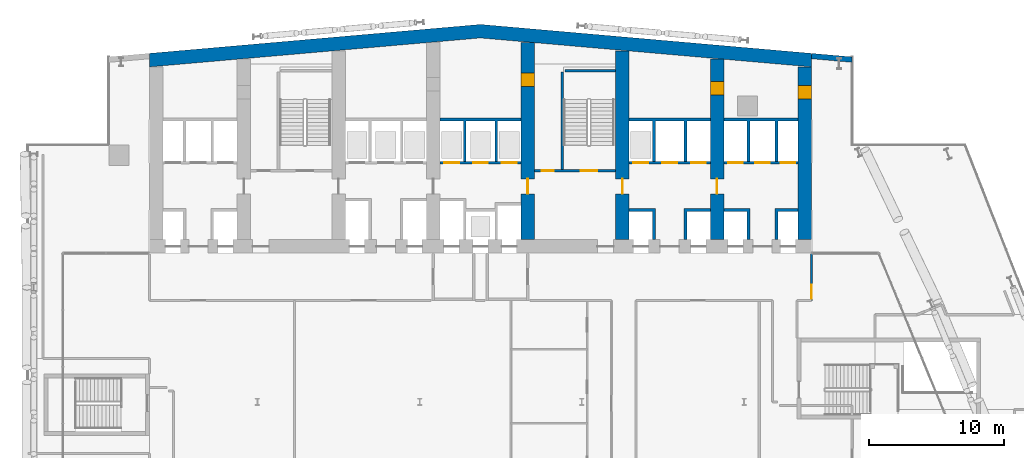
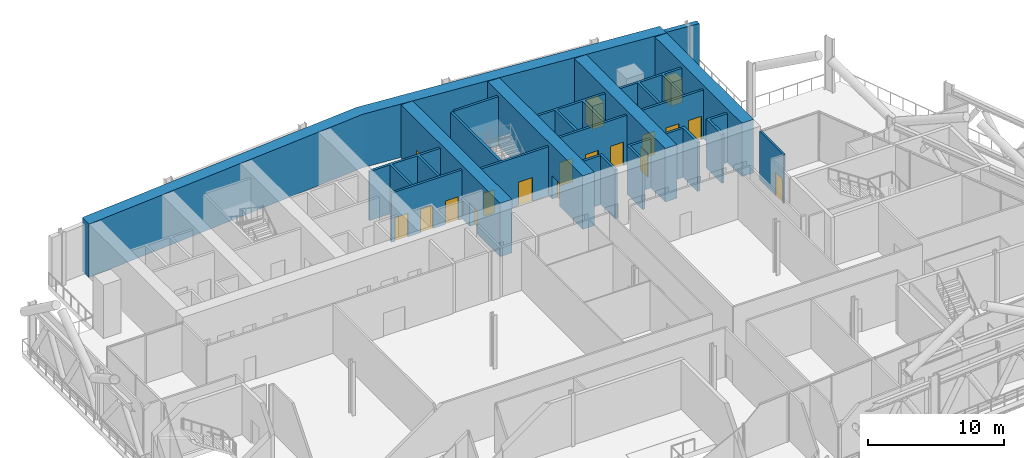
# One storey, part 21 of 42: 20 walls, 18 doors, 18 openings.
"""IFC4 building model written with IfcOpenShell, lengths in metres."""

import ifcopenshell
import ifcopenshell.guid

model = None  # the IFC model being written
_history = None  # IfcOwnerHistory: only IFC2X3 demands one
_inside = {}  # id of a spatial element -> (the spatial element, [elements in it])
_under = {}  # id of a project, library or spatial element -> (it, [spatial elements below it])
_declared = {}  # id of a project -> (the project, [libraries it declares])
_typed = {}  # id of a type object -> (the type object, [elements of that type])
_made_of = {}  # id of a material, layer set ... -> (it, [elements and type objects made of it])


def new_model(schema):
    """Start an empty IFC model of exactly this schema.

    Asked for "IFC4X3", IfcOpenShell would pick the latest addendum, in which some entities
    have other attributes; the version numbers below select the first issue.
    IFC2X3 requires an IfcOwnerHistory on every rooted entity: one is made here for all.
    """
    global model, _history
    if schema == "IFC4X3":
        model = ifcopenshell.file(schema_version=(4, 3, 0, 0))
    else:
        model = ifcopenshell.file(schema=schema)
    _inside.clear()
    _under.clear()
    _declared.clear()
    _typed.clear()
    _made_of.clear()
    _history = None
    if model.schema == "IFC2X3":
        org = make("IfcOrganization", Name="unknown")
        user = make(
            "IfcPersonAndOrganization",
            ThePerson=make("IfcPerson", FamilyName="unknown"),
            TheOrganization=org,
        )
        app = make(
            "IfcApplication",
            ApplicationDeveloper=org,
            Version="unknown",
            ApplicationFullName="unknown",
            ApplicationIdentifier="unknown",
        )
        _history = make(
            "IfcOwnerHistory",
            OwningUser=user,
            OwningApplication=app,
            ChangeAction="ADDED",
            CreationDate=0,
        )
    return model


def make(cls, **values):
    """One entity of the class cls with the attributes given. An attribute that is None is left unset."""
    return model.create_entity(
        cls, **{name: value for name, value in values.items() if value is not None}
    )


def rooted(cls, **values):
    """An entity with a GlobalId (a new one), such as an element, a storey or a relation."""
    return make(cls, GlobalId=ifcopenshell.guid.new(), OwnerHistory=_history, **values)


def si_unit(unit_type, name, prefix=None):
    """IfcSIUnit, for example si_unit("LENGTHUNIT", "METRE", prefix="MILLI")."""
    return make("IfcSIUnit", UnitType=unit_type, Prefix=prefix, Name=name)


def assignment(units):
    """IfcUnitAssignment: the units of a project."""
    return None if units is None else make("IfcUnitAssignment", Units=units)


def point(xyz):
    """IfcCartesianPoint."""
    return None if xyz is None else make("IfcCartesianPoint", Coordinates=xyz)


def direction(xyz):
    """IfcDirection."""
    return None if xyz is None else make("IfcDirection", DirectionRatios=xyz)


def frame(location, z_axis=None, x_axis=None):
    """IfcAxis2Placement3D, a coordinate frame: its origin and axes. An axis left out is left unset."""
    return make(
        "IfcAxis2Placement3D",
        Location=point(location),
        Axis=direction(z_axis),
        RefDirection=direction(x_axis),
    )


def frame_2d(location, x_axis=None):
    """IfcAxis2Placement2D, a coordinate frame in the plane: its origin and x axis."""
    return make(
        "IfcAxis2Placement2D", Location=point(location), RefDirection=direction(x_axis)
    )


def origin():
    """The frame at (0, 0, 0) with its axes left unset."""
    return frame((0.0, 0.0, 0.0))


def place(relative_to, where):
    """IfcLocalPlacement: puts the frame where relative to a parent placement (None: the world)."""
    return make(
        "IfcLocalPlacement", PlacementRelTo=relative_to, RelativePlacement=where
    )


def context(
    kind, dimensions, precision=None, world=None, true_north=None, identifier=None
):
    """IfcGeometricRepresentationContext, for example the 3D "Model" context."""
    return make(
        "IfcGeometricRepresentationContext",
        ContextIdentifier=identifier,
        ContextType=kind,
        CoordinateSpaceDimension=dimensions,
        Precision=precision,
        WorldCoordinateSystem=world,
        TrueNorth=true_north,
    )


def subcontext(parent, identifier, kind, view, scale=None):
    """IfcGeometricRepresentationSubContext, for example "Body" below "Model"."""
    return make(
        "IfcGeometricRepresentationSubContext",
        ContextIdentifier=identifier,
        ContextType=kind,
        ParentContext=parent,
        TargetScale=scale,
        TargetView=view,
    )


def project(units=None, contexts=None):
    """IfcProject with its units and contexts."""
    return rooted(
        "IfcProject",
        Name="project",
        RepresentationContexts=contexts,
        UnitsInContext=assignment(units),
    )


def spatial(cls, under=None, at=None, **own):
    """A site, building, storey or space (cls), placed at a placement, below another one or the project."""
    s = rooted(cls, ObjectPlacement=at, **own)
    if under is not None:
        _under.setdefault(under.id(), (under, []))[1].append(s)
    return s


def polyline(points):
    """IfcPolyline through the points."""
    return make("IfcPolyline", Points=[point(p) for p in points])


def profile(cls, at=None, kind="AREA", **sizes):
    """A parametric profile (cls). Its sizes go by their IFC names, for example OverallWidth=200.0."""
    return make(cls, ProfileType=kind, Position=at, **sizes)


def rectangle(**sizes):
    """IfcRectangleProfileDef."""
    return profile("IfcRectangleProfileDef", **sizes)


def outline(outer, holes=None, kind="AREA"):
    """IfcArbitraryClosedProfileDef: a profile drawn as a closed curve; with holes, ...WithVoids."""
    if holes is None:
        return make("IfcArbitraryClosedProfileDef", ProfileType=kind, OuterCurve=outer)
    return make(
        "IfcArbitraryProfileDefWithVoids",
        ProfileType=kind,
        OuterCurve=outer,
        InnerCurves=holes,
    )


def extrude(swept, where, along, depth):
    """IfcExtrudedAreaSolid: the profile swept, set in the frame where, extruded along a direction by depth."""
    return make(
        "IfcExtrudedAreaSolid",
        SweptArea=swept,
        Position=where,
        ExtrudedDirection=direction(along),
        Depth=depth,
    )


def shape(context_of_items, identifier, shape_type, items):
    """IfcShapeRepresentation: the items that make up one representation, for example the "Body"."""
    return make(
        "IfcShapeRepresentation",
        ContextOfItems=context_of_items,
        RepresentationIdentifier=identifier,
        RepresentationType=shape_type,
        Items=items,
    )


def material(Name=None, Category=None):
    """IfcMaterial."""
    return make("IfcMaterial", Name=Name, Category=Category)


def layer(
    of_material, thickness, ventilated=None, Name=None, Category=None, Priority=None
):
    """IfcMaterialLayer: one layer of a wall or slab, of a material (None: an air gap)."""
    return make(
        "IfcMaterialLayer",
        Material=of_material,
        LayerThickness=thickness,
        IsVentilated=ventilated,
        Name=Name,
        Category=Category,
        Priority=Priority,
    )


def layer_set(layers, Name=None):
    """IfcMaterialLayerSet."""
    return make("IfcMaterialLayerSet", MaterialLayers=layers, LayerSetName=Name)


def made_of(thing, what):
    """Note that an element or type object is made of a material, layer set ...; save() writes the relation."""
    if what is not None:
        _made_of.setdefault(what.id(), (what, []))[1].append(thing)
    return thing


def type_object(cls, material=None, **own):
    """A type object (cls), such as IfcWallType, which elements share."""
    return made_of(rooted(cls, **own), material)


def element(
    cls,
    number,
    at=None,
    inside=None,
    cuts=None,
    type_object=None,
    material=None,
    context=None,
    identifier="Body",
    shape_type=None,
    held_by="IfcProductDefinitionShape",
    body=None,
    shapes=None,
    **own,
):
    """One element of the class cls, such as IfcWall. Its Tag is "e" and its number.

    at: its placement. inside: the storey or other place that contains it. cuts: it is an
    opening in that element (IfcRelVoidsElement). A single representation is given by context,
    identifier, shape_type and body (its items); several are given by shapes. held_by: the class
    of the entity that holds the representations. save() writes the other relations.
    """
    e = rooted(cls, Tag="e%d" % number, ObjectPlacement=at, **own)
    if body is not None:
        shapes = [shape(context, identifier, shape_type, body)]
    if shapes is not None:
        e.Representation = make(held_by, Representations=shapes)
    if inside is not None:
        _inside.setdefault(inside.id(), (inside, []))[1].append(e)
    if cuts is not None:
        rooted(
            "IfcRelVoidsElement", RelatingBuildingElement=cuts, RelatedOpeningElement=e
        )
    if type_object is not None:
        _typed.setdefault(type_object.id(), (type_object, []))[1].append(e)
    return made_of(e, material)


def fill(opening, filler):
    """IfcRelFillsElement: the door or window that sits in an opening."""
    return rooted(
        "IfcRelFillsElement",
        RelatingOpeningElement=opening,
        RelatedBuildingElement=filler,
    )


def aggregate(whole, parts):
    """IfcRelAggregates: a whole, such as a stair, and the parts it consists of."""
    return rooted("IfcRelAggregates", RelatingObject=whole, RelatedObjects=parts)


def save(model, path):
    """Write the relations noted so far, then the file.

    IfcRelAggregates (storeys below a building ...), IfcRelContainedInSpatialStructure (elements
    in a storey), IfcRelDefinesByType, IfcRelAssociatesMaterial and IfcRelDeclares: one each for
    every whole, place, type object, material and project.
    """
    for whole, parts in _under.values():
        aggregate(whole, parts)
    for where, things in _inside.values():
        rooted(
            "IfcRelContainedInSpatialStructure",
            RelatedElements=things,
            RelatingStructure=where,
        )
    for kind, things in _typed.values():
        rooted("IfcRelDefinesByType", RelatedObjects=things, RelatingType=kind)
    for what, things in _made_of.values():
        rooted("IfcRelAssociatesMaterial", RelatedObjects=things, RelatingMaterial=what)
    for by, libraries in _declared.values():
        rooted("IfcRelDeclares", RelatingContext=by, RelatedDefinitions=libraries)
    model.write(path)


model = new_model("IFC4")

# Units and contexts
model_context = context("Model", 3, precision=1e-05, world=origin(), true_north=direction((0.0, 1.0)))
body_context = subcontext(model_context, "Body", "Model", "MODEL_VIEW")
ifc_project = project(units=[si_unit("LENGTHUNIT", "METRE"), si_unit("AREAUNIT", "SQUARE_METRE"), si_unit("VOLUMEUNIT", "CUBIC_METRE"), si_unit("PLANEANGLEUNIT", "RADIAN"), si_unit("MASSUNIT", "GRAM", prefix="KILO")], contexts=[model_context])

# Site, building, storey
site_placement = place(None, origin())
site = spatial("IfcSite", under=ifc_project, at=site_placement, CompositionType="ELEMENT")
building_placement = place(site_placement, origin())
building = spatial("IfcBuilding", under=site, at=building_placement, Name="Wharfspan Tower", CompositionType="ELEMENT")
storey_placement = place(building_placement, frame((0.0, 0.0, 147.100098)))
storey = spatial("IfcBuildingStorey", under=building, at=storey_placement, Name="L35", CompositionType="ELEMENT", Elevation=147.100098)

# Wall
ifc_material_1 = material(Name="Concrete C70/85", Category="concrete")
ifc_layer_1 = layer(ifc_material_1, 1.0)
ifc_layer_set_1 = layer_set([ifc_layer_1], Name="Concrete C70/85")
wall_type_1 = type_object("IfcWallType", Name="Core wall 1000 C70/85", PredefinedType="SHEAR", material=ifc_layer_set_1)
wall_1_placement = place(storey_placement, frame((0.0, 0.0, -0.000244)))
element("IfcWall", 1, at=wall_1_placement, inside=storey, type_object=wall_type_1, Name="Core rear wall L35", PredefinedType="SHEAR", context=body_context, shape_type="SweptSolid", body=[
    extrude(outline(polyline([(16.0, 47.783691), (40.5, 49.927002), (65.0, 47.783691), (65.0, 48.787354), (40.5, 50.930908), (16.0, 48.787354), (16.0, 47.783691)])), origin(), (0.0, 0.0, 1.0), 4.800049),
])

# Wall, openings, doors
wall_2_placement = place(storey_placement, frame((44.0, 35.0, 0.0), z_axis=(0.0, 0.0, 1.0), x_axis=(0.0, 1.0, 0.0)))
wall_2 = element("IfcWall", 2, at=wall_2_placement, inside=storey, type_object=wall_type_1, Name="Core cross wall X5 L35", PredefinedType="SHEAR", context=body_context, shape_type="SweptSolid", body=[
    extrude(rectangle(XDim=14.577148, YDim=1.0, at=frame_2d((7.288574, 0.0))), origin(), (0.0, 0.0, 1.0), 4.799805),
])
opening_1_placement = place(wall_2_placement, frame((11.322266, 0.0, 0.0)))
opening_1 = element("IfcOpeningElement", 3, at=opening_1_placement, cuts=wall_2, Name="Opening CD35.4X", PredefinedType="OPENING", context=body_context, shape_type="SweptSolid", body=[
    extrude(rectangle(XDim=1.0, YDim=2.100098, at=frame_2d((0.5, 1.050049))), frame((0.0, 0.51001, 0.0), z_axis=(0.0, -1.0, 0.0), x_axis=(1.0, 0.0, 0.0)), (0.0, 0.0, 1.0), 1.02002),
])
opening_2_placement = place(wall_2_placement, frame((3.399902, 0.0, 0.0)))
opening_2 = element("IfcOpeningElement", 4, at=opening_2_placement, cuts=wall_2, Name="Opening CC35.5", PredefinedType="OPENING", context=body_context, shape_type="SweptSolid", body=[
    extrude(rectangle(XDim=1.100098, YDim=2.100098, at=frame_2d((0.550049, 1.050049))), frame((0.0, 0.51001, 0.0), z_axis=(0.0, -1.0, 0.0), x_axis=(1.0, 0.0, 0.0)), (0.0, 0.0, 1.0), 1.02002),
])
ifc_material_2 = material(Name="Steel door leaf", Category="steel")
door_type_1 = type_object("IfcDoorType", Name="Core corridor door 1100x2100", OperationType="SINGLE_SWING_LEFT", PredefinedType="DOOR", material=ifc_material_2)
door_1_placement = place(opening_2_placement, origin())
door_1 = element("IfcDoor", 5, at=door_1_placement, inside=storey, type_object=door_type_1, Name="xd:L35:5", OperationType="SINGLE_SWING_LEFT", OverallHeight=2.100098, OverallWidth=1.100098, PredefinedType="DOOR", context=body_context, shape_type="SweptSolid", body=[
    extrude(rectangle(XDim=1.100098, YDim=2.100098, at=frame_2d((0.550049, 1.050049))), frame((0.0, 0.024902, 0.0), z_axis=(0.0, -1.0, 0.0), x_axis=(1.0, 0.0, 0.0)), (0.0, 0.0, 1.0), 0.050049),
])
fill(opening_2, door_1)
door_type_2 = type_object("IfcDoorType", Name="Core room door 1000x2100", OperationType="SINGLE_SWING_LEFT", PredefinedType="DOOR", material=ifc_material_2)
door_2_placement = place(opening_1_placement, origin())
door_2 = element("IfcDoor", 6, at=door_2_placement, inside=storey, type_object=door_type_2, Name="d:L35:4:sx", OperationType="SINGLE_SWING_LEFT", OverallHeight=2.100098, OverallWidth=1.0, PredefinedType="DOOR", context=body_context, shape_type="SweptSolid", body=[
    extrude(rectangle(XDim=1.0, YDim=2.100098, at=frame_2d((0.5, 1.050049))), frame((0.0, 0.499756, 0.0), z_axis=(0.0, -1.0, 0.0), x_axis=(1.0, 0.0, 0.0)), (0.0, 0.0, 1.0), 0.999512),
])
fill(opening_1, door_2)

# Wall, opening, door
wall_3_placement = place(storey_placement, frame((51.0, 35.0, 0.0), z_axis=(0.0, 0.0, 1.0), x_axis=(0.0, 1.0, 0.0)))
wall_3 = element("IfcWall", 7, at=wall_3_placement, inside=storey, type_object=wall_type_1, Name="Core cross wall X6 L35", PredefinedType="SHEAR", context=body_context, shape_type="SweptSolid", body=[
    extrude(rectangle(XDim=13.9646, YDim=1.0, at=frame_2d((6.982422, 0.0))), origin(), (0.0, 0.0, 1.0), 4.799805),
])
opening_3_placement = place(wall_3_placement, frame((3.399902, 0.0, 0.0)))
opening_3 = element("IfcOpeningElement", 8, at=opening_3_placement, cuts=wall_3, Name="Opening CC35.6", PredefinedType="OPENING", context=body_context, shape_type="SweptSolid", body=[
    extrude(rectangle(XDim=1.100098, YDim=2.100098, at=frame_2d((0.550049, 1.050049))), frame((0.0, 0.51001, 0.0), z_axis=(0.0, -1.0, 0.0), x_axis=(1.0, 0.0, 0.0)), (0.0, 0.0, 1.0), 1.02002),
])
door_3_placement = place(opening_3_placement, origin())
door_3 = element("IfcDoor", 9, at=door_3_placement, inside=storey, type_object=door_type_1, Name="xd:L35:6", OperationType="SINGLE_SWING_RIGHT", OverallHeight=2.100098, OverallWidth=1.100098, PredefinedType="DOOR", context=body_context, shape_type="SweptSolid", body=[
    extrude(rectangle(XDim=1.100098, YDim=2.100098, at=frame_2d((0.550049, 1.050049))), frame((0.0, 0.024902, 0.0), z_axis=(0.0, -1.0, 0.0), x_axis=(1.0, 0.0, 0.0)), (0.0, 0.0, 1.0), 0.050049),
])
fill(opening_3, door_3)

# Wall, openings, doors
wall_4_placement = place(storey_placement, frame((58.0, 35.0, 0.0), z_axis=(0.0, 0.0, 1.0), x_axis=(0.0, 1.0, 0.0)))
wall_4 = element("IfcWall", 10, at=wall_4_placement, inside=storey, type_object=wall_type_1, Name="Core cross wall X7 L35", PredefinedType="SHEAR", context=body_context, shape_type="SweptSolid", body=[
    extrude(rectangle(XDim=13.352295, YDim=1.0, at=frame_2d((6.67627, 0.0))), origin(), (0.0, 0.0, 1.0), 4.799805),
])
opening_4_placement = place(wall_4_placement, frame((10.709961, 0.0, 0.0)))
opening_4 = element("IfcOpeningElement", 11, at=opening_4_placement, cuts=wall_4, Name="Opening CD35.6X", PredefinedType="OPENING", context=body_context, shape_type="SweptSolid", body=[
    extrude(rectangle(XDim=1.0, YDim=2.100098, at=frame_2d((0.5, 1.050049))), frame((0.0, 0.51001, 0.0), z_axis=(0.0, -1.0, 0.0), x_axis=(1.0, 0.0, 0.0)), (0.0, 0.0, 1.0), 1.02002),
])
opening_5_placement = place(wall_4_placement, frame((3.399902, 0.0, 0.0)))
opening_5 = element("IfcOpeningElement", 12, at=opening_5_placement, cuts=wall_4, Name="Opening CC35.7", PredefinedType="OPENING", context=body_context, shape_type="SweptSolid", body=[
    extrude(rectangle(XDim=1.100098, YDim=2.100098, at=frame_2d((0.550049, 1.050049))), frame((0.0, 0.51001, 0.0), z_axis=(0.0, -1.0, 0.0), x_axis=(1.0, 0.0, 0.0)), (0.0, 0.0, 1.0), 1.02002),
])
door_4_placement = place(opening_5_placement, origin())
door_4 = element("IfcDoor", 13, at=door_4_placement, inside=storey, type_object=door_type_1, Name="xd:L35:7", OperationType="SINGLE_SWING_LEFT", OverallHeight=2.100098, OverallWidth=1.100098, PredefinedType="DOOR", context=body_context, shape_type="SweptSolid", body=[
    extrude(rectangle(XDim=1.100098, YDim=2.100098, at=frame_2d((0.550049, 1.050049))), frame((0.0, 0.024902, 0.0), z_axis=(0.0, -1.0, 0.0), x_axis=(1.0, 0.0, 0.0)), (0.0, 0.0, 1.0), 0.050049),
])
fill(opening_5, door_4)
door_5_placement = place(opening_4_placement, origin())
door_5 = element("IfcDoor", 14, at=door_5_placement, inside=storey, type_object=door_type_2, Name="d:L35:6:sx", OperationType="SINGLE_SWING_LEFT", OverallHeight=2.100098, OverallWidth=1.0, PredefinedType="DOOR", context=body_context, shape_type="SweptSolid", body=[
    extrude(rectangle(XDim=1.0, YDim=2.100098, at=frame_2d((0.5, 1.050049))), frame((0.0, 0.499756, 0.0), z_axis=(0.0, -1.0, 0.0), x_axis=(1.0, 0.0, 0.0)), (0.0, 0.0, 1.0), 0.999512),
])
fill(opening_4, door_5)

# Wall, opening, door
wall_5_placement = place(storey_placement, frame((64.5, 35.0, 0.0), z_axis=(0.0, 0.0, 1.0), x_axis=(0.0, 1.0, 0.0)))
wall_5 = element("IfcWall", 15, at=wall_5_placement, inside=storey, type_object=wall_type_1, Name="Core cross wall EW1 L35", PredefinedType="SHEAR", context=body_context, shape_type="SweptSolid", body=[
    extrude(rectangle(XDim=12.783691, YDim=1.0, at=frame_2d((6.391846, 0.0))), origin(), (0.0, 0.0, 1.0), 4.799805),
])
opening_6_placement = place(wall_5_placement, frame((10.425537, 0.0, 0.0)))
opening_6 = element("IfcOpeningElement", 16, at=opening_6_placement, cuts=wall_5, Name="Opening CD35.7E", PredefinedType="OPENING", context=body_context, shape_type="SweptSolid", body=[
    extrude(rectangle(XDim=1.0, YDim=2.100098, at=frame_2d((0.5, 1.050049))), frame((0.0, 0.51001, 0.0), z_axis=(0.0, -1.0, 0.0), x_axis=(1.0, 0.0, 0.0)), (0.0, 0.0, 1.0), 1.02002),
])
door_6_placement = place(opening_6_placement, origin())
door_6 = element("IfcDoor", 17, at=door_6_placement, inside=storey, type_object=door_type_2, Name="d:L35:7:sxe", OperationType="SINGLE_SWING_RIGHT", OverallHeight=2.100098, OverallWidth=1.0, PredefinedType="DOOR", context=body_context, shape_type="SweptSolid", body=[
    extrude(rectangle(XDim=1.0, YDim=2.100098, at=frame_2d((0.5, 1.050049))), frame((0.0, 0.499756, 0.0), z_axis=(0.0, -1.0, 0.0), x_axis=(1.0, 0.0, 0.0)), (0.0, 0.0, 1.0), 0.999512),
])
fill(opening_6, door_6)

# Wall, openings, doors
ifc_material_3 = material(Name="Concrete C30/37", Category="concrete")
ifc_layer_2 = layer(ifc_material_3, 0.199951)
ifc_layer_set_2 = layer_set([ifc_layer_2], Name="Concrete C30/37")
wall_type_2 = type_object("IfcWallType", Name="Lift shaft wall 200", PredefinedType="PARTITIONING", material=ifc_layer_set_2)
wall_6_placement = place(storey_placement, frame((37.5, 40.699951, 0.0), z_axis=(0.0, 0.0, 1.0), x_axis=(1.0, 0.0, 0.0)))
wall_6 = element("IfcWall", 18, at=wall_6_placement, inside=storey, type_object=wall_type_2, Name="sw:L35:RF4", PredefinedType="PARTITIONING", context=body_context, shape_type="SweptSolid", body=[
    extrude(rectangle(XDim=6.0, YDim=0.199951, at=frame_2d((3.0, 0.0))), origin(), (0.0, 0.0, 1.0), 4.399902),
])
opening_7_placement = place(wall_6_placement, frame((0.31665, 0.0, 0.0)))
opening_7 = element("IfcOpeningElement", 19, at=opening_7_placement, cuts=wall_6, Name="Opening LD.LB4.L35", PredefinedType="OPENING", context=body_context, shape_type="SweptSolid", body=[
    extrude(rectangle(XDim=1.100098, YDim=2.100098, at=frame_2d((0.550049, 1.050049))), frame((0.0, 0.109863, 0.0), z_axis=(0.0, -1.0, 0.0), x_axis=(1.0, 0.0, 0.0)), (0.0, 0.0, 1.0), 0.219971),
])
opening_8_placement = place(wall_6_placement, frame((2.449951, 0.0, 0.0)))
opening_8 = element("IfcOpeningElement", 20, at=opening_8_placement, cuts=wall_6, Name="Opening LD.LB5.L35", PredefinedType="OPENING", context=body_context, shape_type="SweptSolid", body=[
    extrude(rectangle(XDim=1.100098, YDim=2.100098, at=frame_2d((0.550049, 1.050049))), frame((0.0, 0.109863, 0.0), z_axis=(0.0, -1.0, 0.0), x_axis=(1.0, 0.0, 0.0)), (0.0, 0.0, 1.0), 0.219971),
])
opening_9_placement = place(wall_6_placement, frame((4.583252, 0.0, 0.0)))
opening_9 = element("IfcOpeningElement", 21, at=opening_9_placement, cuts=wall_6, Name="Opening LD.LB6.L35", PredefinedType="OPENING", context=body_context, shape_type="SweptSolid", body=[
    extrude(rectangle(XDim=1.100098, YDim=2.100098, at=frame_2d((0.550049, 1.050049))), frame((0.0, 0.109863, 0.0), z_axis=(0.0, -1.0, 0.0), x_axis=(1.0, 0.0, 0.0)), (0.0, 0.0, 1.0), 0.219971),
])
ifc_material_4 = material(Name="Stainless steel", Category="steel")
door_type_3 = type_object("IfcDoorType", Name="Lift landing door 1100x2100", OperationType="DOUBLE_DOOR_SLIDING", PredefinedType="DOOR", material=ifc_material_4)
door_7_placement = place(opening_7_placement, origin())
door_7 = element("IfcDoor", 22, at=door_7_placement, inside=storey, type_object=door_type_3, Name="Landing door LB4 L35", OperationType="DOUBLE_DOOR_SLIDING", OverallHeight=2.100098, OverallWidth=1.100098, PredefinedType="DOOR", context=body_context, shape_type="SweptSolid", body=[
    extrude(rectangle(XDim=1.100098, YDim=2.100098, at=frame_2d((0.550049, 1.050049))), frame((0.0, 0.024902, 0.0), z_axis=(0.0, -1.0, 0.0), x_axis=(1.0, 0.0, 0.0)), (0.0, 0.0, 1.0), 0.050049),
])
fill(opening_7, door_7)
door_8_placement = place(opening_8_placement, origin())
door_8 = element("IfcDoor", 23, at=door_8_placement, inside=storey, type_object=door_type_3, Name="Landing door LB5 L35", OperationType="DOUBLE_DOOR_SLIDING", OverallHeight=2.100098, OverallWidth=1.100098, PredefinedType="DOOR", context=body_context, shape_type="SweptSolid", body=[
    extrude(rectangle(XDim=1.100098, YDim=2.100098, at=frame_2d((0.550049, 1.050049))), frame((0.0, 0.024902, 0.0), z_axis=(0.0, -1.0, 0.0), x_axis=(1.0, 0.0, 0.0)), (0.0, 0.0, 1.0), 0.050049),
])
fill(opening_8, door_8)
door_9_placement = place(opening_9_placement, origin())
door_9 = element("IfcDoor", 24, at=door_9_placement, inside=storey, type_object=door_type_3, Name="Landing door LB6 L35", OperationType="DOUBLE_DOOR_SLIDING", OverallHeight=2.100098, OverallWidth=1.100098, PredefinedType="DOOR", context=body_context, shape_type="SweptSolid", body=[
    extrude(rectangle(XDim=1.100098, YDim=2.100098, at=frame_2d((0.550049, 1.050049))), frame((0.0, 0.024902, 0.0), z_axis=(0.0, -1.0, 0.0), x_axis=(1.0, 0.0, 0.0)), (0.0, 0.0, 1.0), 0.050049),
])
fill(opening_9, door_9)

# Wall
wall_7_placement = place(storey_placement, frame((0.0, 0.0, -0.000244)))
element("IfcWall", 25, at=wall_7_placement, inside=storey, type_object=wall_type_2, Name="sw:L35:RM4.0", PredefinedType="PARTITIONING", context=body_context, shape_type="SweptSolid", body=[
    extrude(outline(polyline([(39.43335, 40.800049), (39.233398, 40.800049), (39.233398, 43.800049), (37.5, 43.800049), (37.5, 44.0), (43.5, 44.0), (43.5, 43.800049), (41.766602, 43.800049), (41.766602, 40.800049), (41.56665, 40.800049), (41.56665, 43.800049), (39.43335, 43.800049), (39.43335, 40.800049)])), origin(), (0.0, 0.0, 1.0), 4.400146),
])

# Wall, openings, doors
wall_8_placement = place(storey_placement, frame((51.5, 40.699951, 0.0), z_axis=(0.0, 0.0, 1.0), x_axis=(1.0, 0.0, 0.0)))
wall_8 = element("IfcWall", 26, at=wall_8_placement, inside=storey, type_object=wall_type_2, Name="sw:L35:RF6", PredefinedType="PARTITIONING", context=body_context, shape_type="SweptSolid", body=[
    extrude(rectangle(XDim=6.0, YDim=0.199951, at=frame_2d((3.0, 0.0))), origin(), (0.0, 0.0, 1.0), 4.399902),
])
opening_10_placement = place(wall_8_placement, frame((0.31665, 0.0, 0.0)))
opening_10 = element("IfcOpeningElement", 27, at=opening_10_placement, cuts=wall_8, Name="Opening LD.LB8.L35", PredefinedType="OPENING", context=body_context, shape_type="SweptSolid", body=[
    extrude(rectangle(XDim=1.100098, YDim=2.100098, at=frame_2d((0.550049, 1.050049))), frame((0.0, 0.109863, 0.0), z_axis=(0.0, -1.0, 0.0), x_axis=(1.0, 0.0, 0.0)), (0.0, 0.0, 1.0), 0.219971),
])
opening_11_placement = place(wall_8_placement, frame((2.449951, 0.0, 0.0)))
opening_11 = element("IfcOpeningElement", 28, at=opening_11_placement, cuts=wall_8, Name="Opening LD.LS3.L35", PredefinedType="OPENING", context=body_context, shape_type="SweptSolid", body=[
    extrude(rectangle(XDim=1.100098, YDim=2.100098, at=frame_2d((0.550049, 1.050049))), frame((0.0, 0.109863, 0.0), z_axis=(0.0, -1.0, 0.0), x_axis=(1.0, 0.0, 0.0)), (0.0, 0.0, 1.0), 0.219971),
])
opening_12_placement = place(wall_8_placement, frame((4.583252, 0.0, 0.0)))
opening_12 = element("IfcOpeningElement", 29, at=opening_12_placement, cuts=wall_8, Name="Opening LD.LS4.L35", PredefinedType="OPENING", context=body_context, shape_type="SweptSolid", body=[
    extrude(rectangle(XDim=1.100098, YDim=2.100098, at=frame_2d((0.550049, 1.050049))), frame((0.0, 0.109863, 0.0), z_axis=(0.0, -1.0, 0.0), x_axis=(1.0, 0.0, 0.0)), (0.0, 0.0, 1.0), 0.219971),
])
door_10_placement = place(opening_10_placement, origin())
door_10 = element("IfcDoor", 30, at=door_10_placement, inside=storey, type_object=door_type_3, Name="Landing door LB8 L35", OperationType="DOUBLE_DOOR_SLIDING", OverallHeight=2.100098, OverallWidth=1.100098, PredefinedType="DOOR", context=body_context, shape_type="SweptSolid", body=[
    extrude(rectangle(XDim=1.100098, YDim=2.100098, at=frame_2d((0.550049, 1.050049))), frame((0.0, 0.024902, 0.0), z_axis=(0.0, -1.0, 0.0), x_axis=(1.0, 0.0, 0.0)), (0.0, 0.0, 1.0), 0.050049),
])
fill(opening_10, door_10)
door_11_placement = place(opening_11_placement, origin())
door_11 = element("IfcDoor", 31, at=door_11_placement, inside=storey, type_object=door_type_3, Name="Landing door LS3 L35", OperationType="DOUBLE_DOOR_SLIDING", OverallHeight=2.100098, OverallWidth=1.100098, PredefinedType="DOOR", context=body_context, shape_type="SweptSolid", body=[
    extrude(rectangle(XDim=1.100098, YDim=2.100098, at=frame_2d((0.550049, 1.050049))), frame((0.0, 0.024902, 0.0), z_axis=(0.0, -1.0, 0.0), x_axis=(1.0, 0.0, 0.0)), (0.0, 0.0, 1.0), 0.050049),
])
fill(opening_11, door_11)
door_12_placement = place(opening_12_placement, origin())
door_12 = element("IfcDoor", 32, at=door_12_placement, inside=storey, type_object=door_type_3, Name="Landing door LS4 L35", OperationType="DOUBLE_DOOR_SLIDING", OverallHeight=2.100098, OverallWidth=1.100098, PredefinedType="DOOR", context=body_context, shape_type="SweptSolid", body=[
    extrude(rectangle(XDim=1.100098, YDim=2.100098, at=frame_2d((0.550049, 1.050049))), frame((0.0, 0.024902, 0.0), z_axis=(0.0, -1.0, 0.0), x_axis=(1.0, 0.0, 0.0)), (0.0, 0.0, 1.0), 0.050049),
])
fill(opening_12, door_12)

# Walls
wall_9_placement = place(storey_placement, frame((0.0, 0.0, -0.000244)))
element("IfcWall", 33, at=wall_9_placement, inside=storey, type_object=wall_type_2, Name="sw:L35:FM6.0", PredefinedType="PARTITIONING", context=body_context, shape_type="SweptSolid", body=[
    extrude(outline(polyline([(53.233398, 37.100098), (51.5, 37.100098), (51.5, 37.300049), (53.233398, 37.300049), (53.43335, 37.300049), (53.43335, 35.0), (53.233398, 35.0), (53.233398, 37.100098)])), origin(), (0.0, 0.0, 1.0), 4.400146),
])
wall_10_placement = place(storey_placement, frame((0.0, 0.0, -0.000244)))
element("IfcWall", 34, at=wall_10_placement, inside=storey, type_object=wall_type_2, Name="sw:L35:FM6.1", PredefinedType="PARTITIONING", context=body_context, shape_type="SweptSolid", body=[
    extrude(outline(polyline([(55.56665, 37.300049), (55.766602, 37.300049), (57.5, 37.300049), (57.5, 37.100098), (55.766602, 37.100098), (55.766602, 35.0), (55.56665, 35.0), (55.56665, 37.300049)])), origin(), (0.0, 0.0, 1.0), 4.400146),
])
wall_11_placement = place(storey_placement, frame((0.0, 0.0, -0.000244)))
element("IfcWall", 35, at=wall_11_placement, inside=storey, type_object=wall_type_2, Name="sw:L35:RM6.0", PredefinedType="PARTITIONING", context=body_context, shape_type="SweptSolid", body=[
    extrude(outline(polyline([(53.43335, 40.800049), (53.233398, 40.800049), (53.233398, 43.800049), (51.5, 43.800049), (51.5, 44.0), (57.5, 44.0), (57.5, 43.800049), (55.766602, 43.800049), (55.766602, 40.800049), (55.56665, 40.800049), (55.56665, 43.800049), (53.43335, 43.800049), (53.43335, 40.800049)])), origin(), (0.0, 0.0, 1.0), 4.400146),
])

# Wall, openings, doors
wall_12_placement = place(storey_placement, frame((58.5, 40.699951, 0.0), z_axis=(0.0, 0.0, 1.0), x_axis=(1.0, 0.0, 0.0)))
wall_12 = element("IfcWall", 36, at=wall_12_placement, inside=storey, type_object=wall_type_2, Name="sw:L35:RF7", PredefinedType="PARTITIONING", context=body_context, shape_type="SweptSolid", body=[
    extrude(rectangle(XDim=5.5, YDim=0.199951, at=frame_2d((2.75, 0.0))), origin(), (0.0, 0.0, 1.0), 4.399902),
])
opening_13_placement = place(wall_12_placement, frame((0.31665, 0.0, 0.0)))
opening_13 = element("IfcOpeningElement", 37, at=opening_13_placement, cuts=wall_12, Name="Opening LD.LA8.L35", PredefinedType="OPENING", context=body_context, shape_type="SweptSolid", body=[
    extrude(rectangle(XDim=1.100098, YDim=2.100098, at=frame_2d((0.550049, 1.050049))), frame((0.0, 0.109863, 0.0), z_axis=(0.0, -1.0, 0.0), x_axis=(1.0, 0.0, 0.0)), (0.0, 0.0, 1.0), 0.219971),
])
opening_14_placement = place(wall_12_placement, frame((2.31665, 0.0, 0.0)))
opening_14 = element("IfcOpeningElement", 38, at=opening_14_placement, cuts=wall_12, Name="Opening LD.LA9.L35", PredefinedType="OPENING", context=body_context, shape_type="SweptSolid", body=[
    extrude(rectangle(XDim=1.100098, YDim=2.100098, at=frame_2d((0.550049, 1.050049))), frame((0.0, 0.109863, 0.0), z_axis=(0.0, -1.0, 0.0), x_axis=(1.0, 0.0, 0.0)), (0.0, 0.0, 1.0), 0.219971),
])
opening_15_placement = place(wall_12_placement, frame((4.199951, 0.0, 0.0)))
opening_15 = element("IfcOpeningElement", 39, at=opening_15_placement, cuts=wall_12, Name="Opening LD.LA10.L35", PredefinedType="OPENING", context=body_context, shape_type="SweptSolid", body=[
    extrude(rectangle(XDim=1.100098, YDim=2.100098, at=frame_2d((0.550049, 1.050049))), frame((0.0, 0.109863, 0.0), z_axis=(0.0, -1.0, 0.0), x_axis=(1.0, 0.0, 0.0)), (0.0, 0.0, 1.0), 0.219971),
])
door_13_placement = place(opening_13_placement, origin())
door_13 = element("IfcDoor", 40, at=door_13_placement, inside=storey, type_object=door_type_3, Name="Landing door LA8 L35", OperationType="DOUBLE_DOOR_SLIDING", OverallHeight=2.100098, OverallWidth=1.100098, PredefinedType="DOOR", context=body_context, shape_type="SweptSolid", body=[
    extrude(rectangle(XDim=1.100098, YDim=2.100098, at=frame_2d((0.550049, 1.050049))), frame((0.0, 0.024902, 0.0), z_axis=(0.0, -1.0, 0.0), x_axis=(1.0, 0.0, 0.0)), (0.0, 0.0, 1.0), 0.050049),
])
fill(opening_13, door_13)
door_14_placement = place(opening_14_placement, origin())
door_14 = element("IfcDoor", 41, at=door_14_placement, inside=storey, type_object=door_type_3, Name="Landing door LA9 L35", OperationType="DOUBLE_DOOR_SLIDING", OverallHeight=2.100098, OverallWidth=1.100098, PredefinedType="DOOR", context=body_context, shape_type="SweptSolid", body=[
    extrude(rectangle(XDim=1.100098, YDim=2.100098, at=frame_2d((0.550049, 1.050049))), frame((0.0, 0.024902, 0.0), z_axis=(0.0, -1.0, 0.0), x_axis=(1.0, 0.0, 0.0)), (0.0, 0.0, 1.0), 0.050049),
])
fill(opening_14, door_14)
door_15_placement = place(opening_15_placement, origin())
door_15 = element("IfcDoor", 42, at=door_15_placement, inside=storey, type_object=door_type_3, Name="Landing door LA10 L35", OperationType="DOUBLE_DOOR_SLIDING", OverallHeight=2.100098, OverallWidth=1.100098, PredefinedType="DOOR", context=body_context, shape_type="SweptSolid", body=[
    extrude(rectangle(XDim=1.100098, YDim=2.100098, at=frame_2d((0.550049, 1.050049))), frame((0.0, 0.024902, 0.0), z_axis=(0.0, -1.0, 0.0), x_axis=(1.0, 0.0, 0.0)), (0.0, 0.0, 1.0), 0.050049),
])
fill(opening_15, door_15)

# Walls
wall_13_placement = place(storey_placement, frame((0.0, 0.0, -0.000244)))
element("IfcWall", 43, at=wall_13_placement, inside=storey, type_object=wall_type_2, Name="sw:L35:FM7.0", PredefinedType="PARTITIONING", context=body_context, shape_type="SweptSolid", body=[
    extrude(outline(polyline([(60.233398, 37.100098), (58.5, 37.100098), (58.5, 37.300049), (60.233398, 37.300049), (60.43335, 37.300049), (60.43335, 35.0), (60.233398, 35.0), (60.233398, 37.100098)])), origin(), (0.0, 0.0, 1.0), 4.400146),
])
wall_14_placement = place(storey_placement, frame((0.0, 0.0, -0.000244)))
element("IfcWall", 44, at=wall_14_placement, inside=storey, type_object=wall_type_2, Name="sw:L35:FM7.1", PredefinedType="PARTITIONING", context=body_context, shape_type="SweptSolid", body=[
    extrude(outline(polyline([(62.300049, 37.300049), (62.5, 37.300049), (64.0, 37.300049), (64.0, 37.100098), (62.5, 37.100098), (62.5, 35.0), (62.300049, 35.0), (62.300049, 37.300049)])), origin(), (0.0, 0.0, 1.0), 4.400146),
])
wall_15_placement = place(storey_placement, frame((0.0, 0.0, -0.000244)))
element("IfcWall", 45, at=wall_15_placement, inside=storey, type_object=wall_type_2, Name="sw:L35:RM7.0", PredefinedType="PARTITIONING", context=body_context, shape_type="SweptSolid", body=[
    extrude(outline(polyline([(60.43335, 40.800049), (60.233398, 40.800049), (60.233398, 43.800049), (58.5, 43.800049), (58.5, 44.0), (64.0, 44.0), (64.0, 43.800049), (62.5, 43.800049), (62.5, 40.800049), (62.300049, 40.800049), (62.300049, 43.800049), (60.43335, 43.800049), (60.43335, 40.800049)])), origin(), (0.0, 0.0, 1.0), 4.400146),
])

# Wall, opening, door
ifc_material_5 = material(Name="Gypsum board on steel studs", Category="steel")
ifc_layer_3 = layer(ifc_material_5, 0.149902)
ifc_layer_set_3 = layer_set([ifc_layer_3], Name="Gypsum board on steel studs")
wall_type_3 = type_object("IfcWallType", Name="Plant room wall 150 EI 120", PredefinedType="PARTITIONING", material=ifc_layer_set_3)
wall_16_placement = place(storey_placement, frame((65.0, 30.5, 0.0), z_axis=(0.0, 0.0, 1.0), x_axis=(0.0, 1.0, 0.0)))
wall_16 = element("IfcWall", 46, at=wall_16_placement, inside=storey, type_object=wall_type_3, Name="Partition L35.w070", PredefinedType="PARTITIONING", context=body_context, shape_type="SweptSolid", body=[
    extrude(rectangle(XDim=3.47998, YDim=0.149902, at=frame_2d((1.73999, 0.0))), origin(), (0.0, 0.0, 1.0), 4.399902),
])
opening_16_placement = place(wall_16_placement, frame((0.150391, 0.0, 0.0)))
opening_16 = element("IfcOpeningElement", 47, at=opening_16_placement, cuts=wall_16, Name="Opening BB-20", PredefinedType="OPENING", context=body_context, shape_type="SweptSolid", body=[
    extrude(rectangle(XDim=1.0, YDim=2.100098, at=frame_2d((0.5, 1.050049))), frame((0.0, 0.084961, 0.0), z_axis=(0.0, -1.0, 0.0), x_axis=(1.0, 0.0, 0.0)), (0.0, 0.0, 1.0), 0.169922),
])
ifc_material_6 = material(Name="Fire-rated timber door leaf in steel frame", Category="steel")
door_type_4 = type_object("IfcDoorType", Name="Door 1000 FD60 Left", OperationType="SINGLE_SWING_LEFT", PredefinedType="DOOR", material=ifc_material_6)
door_16_placement = place(opening_16_placement, origin())
door_16 = element("IfcDoor", 48, at=door_16_placement, inside=storey, type_object=door_type_4, Name="Door BB-20", OperationType="SINGLE_SWING_LEFT", OverallHeight=2.100098, OverallWidth=1.0, PredefinedType="DOOR", context=body_context, shape_type="SweptSolid", body=[
    extrude(rectangle(XDim=1.0, YDim=2.100098, at=frame_2d((0.5, 1.050049))), frame((0.0, 0.024902, 0.0), z_axis=(0.0, -1.0, 0.0), x_axis=(1.0, 0.0, 0.0)), (0.0, 0.0, 1.0), 0.050049),
])
fill(opening_16, door_16)

# Wall, openings, doors
ifc_material_7 = material(Name="Concrete C40/50", Category="concrete")
ifc_layer_4 = layer(ifc_material_7, 0.199951)
ifc_layer_set_4 = layer_set([ifc_layer_4], Name="Concrete C40/50")
wall_type_4 = type_object("IfcWallType", Name="Stair shaft wall 200", PredefinedType="SHEAR", material=ifc_layer_set_4)
wall_17_placement = place(storey_placement, frame((44.5, 40.100098, 0.0), z_axis=(0.0, 0.0, 1.0), x_axis=(1.0, 0.0, 0.0)))
wall_17 = element("IfcWall", 49, at=wall_17_placement, inside=storey, type_object=wall_type_4, Name="ST2 stair enclosure wall L35", PredefinedType="SHEAR", context=body_context, shape_type="SweptSolid", body=[
    extrude(rectangle(XDim=6.0, YDim=0.199951, at=frame_2d((3.0, 0.0))), origin(), (0.0, 0.0, 1.0), 4.399902),
])
opening_17_placement = place(wall_17_placement, frame((3.425049, 0.0, 0.0)))
opening_17 = element("IfcOpeningElement", 50, at=opening_17_placement, cuts=wall_17, Name="Opening SD5.L35", PredefinedType="OPENING", context=body_context, shape_type="SweptSolid", body=[
    extrude(rectangle(XDim=1.199951, YDim=2.100098, at=frame_2d((0.600098, 1.050049))), frame((0.0, 0.109863, 0.0), z_axis=(0.0, -1.0, 0.0), x_axis=(1.0, 0.0, 0.0)), (0.0, 0.0, 1.0), 0.219971),
])
opening_18_placement = place(wall_17_placement, frame((0.524902, 0.0, 0.0)))
opening_18 = element("IfcOpeningElement", 51, at=opening_18_placement, cuts=wall_17, Name="Opening CD35.5R", PredefinedType="OPENING", context=body_context, shape_type="SweptSolid", body=[
    extrude(rectangle(XDim=0.899902, YDim=2.100098, at=frame_2d((0.449951, 1.050049))), frame((0.0, 0.109863, 0.0), z_axis=(0.0, -1.0, 0.0), x_axis=(1.0, 0.0, 0.0)), (0.0, 0.0, 1.0), 0.219971),
])
door_17_placement = place(opening_18_placement, origin())
door_17 = element("IfcDoor", 52, at=door_17_placement, inside=storey, type_object=door_type_2, Name="rk:L35:5", OperationType="SINGLE_SWING_LEFT", OverallHeight=2.100098, OverallWidth=0.899902, PredefinedType="DOOR", context=body_context, shape_type="SweptSolid", body=[
    extrude(rectangle(XDim=0.899902, YDim=2.100098, at=frame_2d((0.449951, 1.050049))), frame((0.0, 0.024902, 0.0), z_axis=(0.0, -1.0, 0.0), x_axis=(1.0, 0.0, 0.0)), (0.0, 0.0, 1.0), 0.050049),
])
fill(opening_18, door_17)
door_type_5 = type_object("IfcDoorType", Name="Stair door 1200x2100", OperationType="SINGLE_SWING_LEFT", PredefinedType="DOOR", material=ifc_material_2)
door_18_placement = place(opening_17_placement, origin())
door_18 = element("IfcDoor", 53, at=door_18_placement, inside=storey, type_object=door_type_5, Name="sd:L35:5", OperationType="SINGLE_SWING_RIGHT", OverallHeight=2.100098, OverallWidth=1.199951, PredefinedType="DOOR", context=body_context, shape_type="SweptSolid", body=[
    extrude(rectangle(XDim=1.199951, YDim=2.100098, at=frame_2d((0.600098, 1.050049))), frame((0.0, 0.024902, 0.0), z_axis=(0.0, -1.0, 0.0), x_axis=(1.0, 0.0, 0.0)), (0.0, 0.0, 1.0), 0.050049),
])
fill(opening_17, door_18)

# Walls
wall_18_placement = place(storey_placement, frame((46.550049, 40.199951, 0.0), z_axis=(0.0, 0.0, 1.0), x_axis=(0.0, 1.0, 0.0)))
element("IfcWall", 54, at=wall_18_placement, inside=storey, type_object=wall_type_4, Name="ST2 stair enclosure wall L35", PredefinedType="SHEAR", context=body_context, shape_type="SweptSolid", body=[
    extrude(rectangle(XDim=7.199951, YDim=0.199951, at=frame_2d((3.600098, 0.0))), origin(), (0.0, 0.0, 1.0), 4.399902),
])
wall_19_placement = place(storey_placement, frame((46.75, 47.5, 0.0), z_axis=(0.0, 0.0, 1.0), x_axis=(1.0, 0.0, 0.0)))
element("IfcWall", 55, at=wall_19_placement, inside=storey, type_object=wall_type_4, Name="ST2 stair enclosure wall L35", PredefinedType="SHEAR", context=body_context, shape_type="SweptSolid", body=[
    extrude(rectangle(XDim=3.75, YDim=0.199951, at=frame_2d((1.875, 0.0))), origin(), (0.0, 0.0, 1.0), 4.399902),
])
ifc_layer_5 = layer(ifc_material_7, 0.399902)
ifc_layer_set_5 = layer_set([ifc_layer_5], Name="Concrete C40/50")
wall_type_5 = type_object("IfcWallType", Name="WALL EXPOSED CONCRETE 400", PredefinedType="SOLIDWALL", material=ifc_layer_set_5)
wall_20_placement = place(storey_placement, frame((67.982666, 48.325684, 0.0), z_axis=(0.0, 0.0, 1.0), x_axis=(-0.996194, 0.087168, 0.0)))
element("IfcWall", 56, at=wall_20_placement, inside=storey, type_object=wall_type_5, Name="Rear wall N2", PredefinedType="SOLIDWALL", context=body_context, shape_type="SweptSolid", body=[
    extrude(rectangle(XDim=2.994141, YDim=0.399902, at=frame_2d((1.49707, 0.0))), origin(), (0.0, 0.0, 1.0), 4.399902),
])

save(model, "model.ifc")
